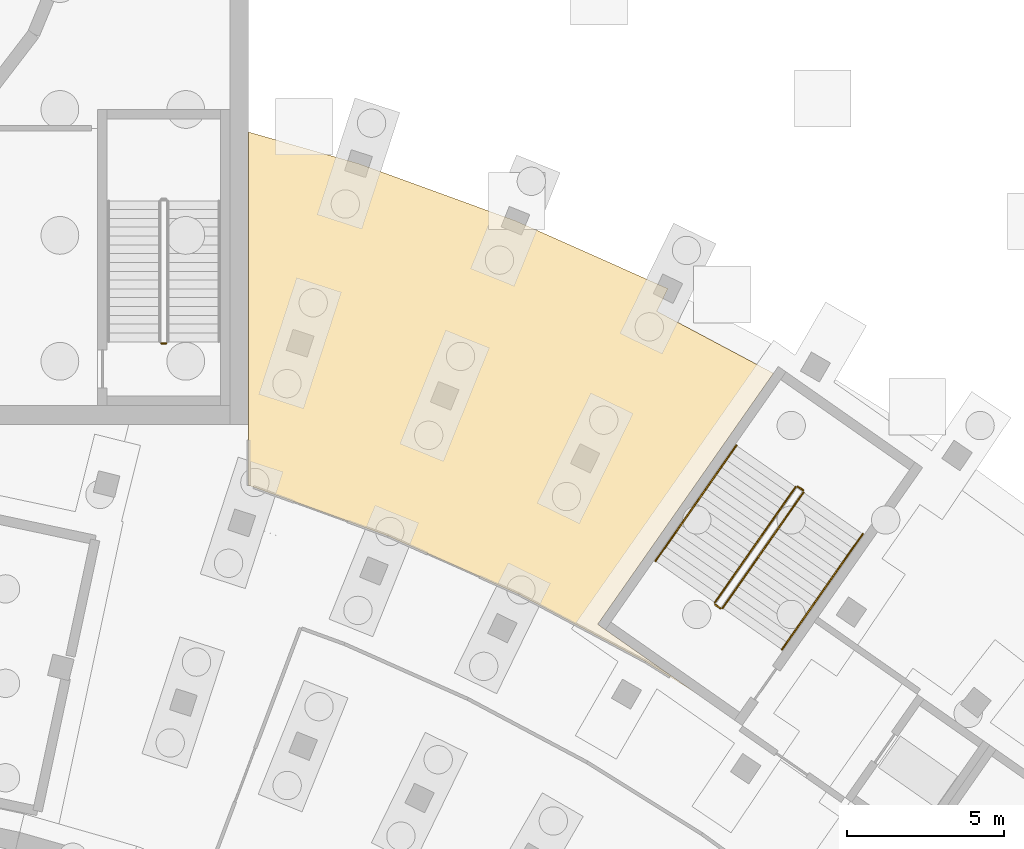
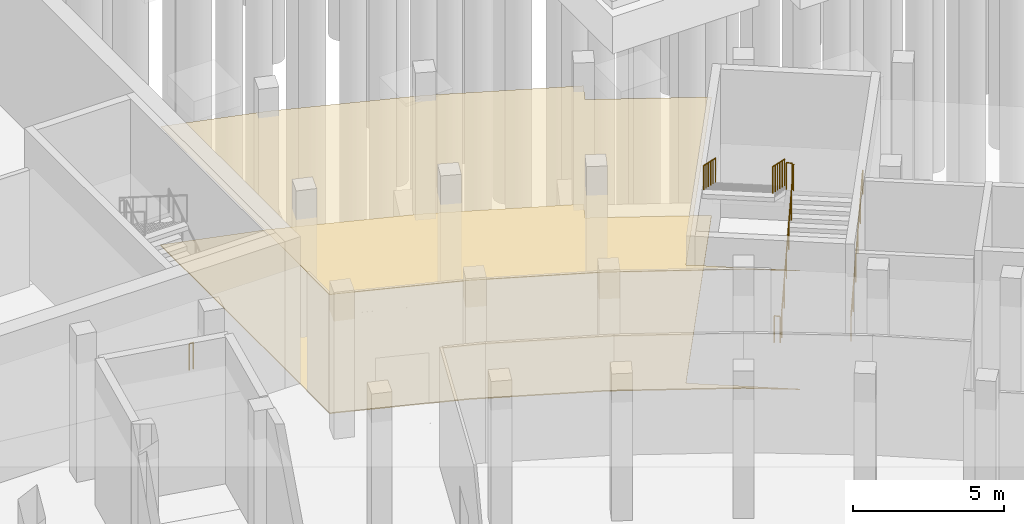
# One storey, part 43 of 66: 7 railings, 2 coverings.
"""IFC4 building model written with IfcOpenShell, lengths in metres."""

from ifc_helpers import new_model, si_unit, direction, frame, origin, origin_2d, place, context, subcontext, project, spatial, polyline, circle, outline, extrude, material, layer, layer_set, type_object, element, save


model = new_model("IFC4")

# Units and contexts
model_context = context("Model", 3, precision=1e-05, world=origin(), true_north=direction((0.0, 1.0)))
body_context = subcontext(model_context, "Body", "Model", "MODEL_VIEW")
ifc_project = project(units=[si_unit("LENGTHUNIT", "METRE"), si_unit("AREAUNIT", "SQUARE_METRE"), si_unit("VOLUMEUNIT", "CUBIC_METRE"), si_unit("PLANEANGLEUNIT", "RADIAN"), si_unit("MASSUNIT", "GRAM", prefix="KILO")], contexts=[model_context])

# Site, building, storey
site_placement = place(None, origin())
site = spatial("IfcSite", under=ifc_project, at=site_placement, CompositionType="ELEMENT")
building_placement = place(site_placement, origin())
building = spatial("IfcBuilding", under=site, at=building_placement, Name="Lunette Opera House", CompositionType="ELEMENT")
storey_placement = place(building_placement, frame((0.0, 0.0, -6.0)))
storey = spatial("IfcBuildingStorey", under=building, at=storey_placement, Name="B1", CompositionType="ELEMENT", Elevation=-6.0)

# Railings
ifc_material_1 = material(Name="Steel S355", Category="steel")
railing_type_1 = type_object("IfcRailingType", Name="STAIR GUARD 1100", PredefinedType="GUARDRAIL", material=ifc_material_1)
railing_1_placement = place(storey_placement, frame((131.051025390625, 58.16455078125, 0.176513671875)))
element("IfcRailing", 1, at=railing_1_placement, inside=storey, type_object=railing_type_1, Name="B1 ST3 stair guard 1", PredefinedType="GUARDRAIL", context=body_context, shape_type="SweptSolid", body=[
    extrude(circle(Radius=0.02392578125, at=origin_2d()), frame((0.0, 0.0, 1.076171875), z_axis=(0.485231303146, 0.693016337186, 0.533178149252), x_axis=(-0.819165350921, 0.573557432041, 0.0)), (0.0, 0.0, 1.0), 5.295654296875),
    extrude(circle(Radius=0.02099609375, at=origin_2d()), origin(), (0.0, 0.0, 1.0), 1.052001953125),
    extrude(circle(Radius=0.02099609375, at=origin_2d()), frame((0.513916015625, 0.73388671875, 0.564697265625)), (0.0, 0.0, 1.0), 1.052001953125),
    extrude(circle(Radius=0.02099609375, at=origin_2d()), frame((1.02783203125, 1.468017578125, 1.12939453125)), (0.0, 0.0, 1.0), 1.052001953125),
    extrude(circle(Radius=0.02099609375, at=origin_2d()), frame((1.541748046875, 2.201904296875, 1.694091796875)), (0.0, 0.0, 1.0), 1.052001953125),
    extrude(circle(Radius=0.02099609375, at=origin_2d()), frame((2.0556640625, 2.93603515625, 2.2587890625)), (0.0, 0.0, 1.0), 1.052001953125),
    extrude(circle(Radius=0.02099609375, at=origin_2d()), frame((2.569580078125, 3.669921875, 2.823486328125)), (0.0, 0.0, 1.0), 1.052001953125),
])
railing_2_placement = place(storey_placement, frame((133.6083984375, 61.904052734375, 3.0)))
element("IfcRailing", 2, at=railing_2_placement, inside=storey, type_object=railing_type_1, Name="B1 ST3 stair guard 2", PredefinedType="GUARDRAIL", context=body_context, shape_type="SweptSolid", body=[
    extrude(circle(Radius=0.02392578125, at=origin_2d()), frame((0.0, 0.0, 1.076171875), z_axis=(-0.819289108261, 0.573380638917, 0.0), x_axis=(-0.573380638917, -0.819289108261, 0.0)), (0.0, 0.0, 1.0), 0.200439453125),
    extrude(circle(Radius=0.02099609375, at=origin_2d()), origin(), (0.0, 0.0, 1.0), 1.052001953125),
    extrude(circle(Radius=0.02099609375, at=origin_2d()), frame((-0.164306640625, 0.114990234375, 0.0)), (0.0, 0.0, 1.0), 1.052001953125),
])
railing_3_placement = place(storey_placement, frame((133.37451171875, 62.0068359375, 3.176513671875)))
element("IfcRailing", 3, at=railing_3_placement, inside=storey, type_object=railing_type_1, Name="B1 ST3 stair guard 3", PredefinedType="GUARDRAIL", context=body_context, shape_type="SweptSolid", body=[
    extrude(circle(Radius=0.02392578125, at=origin_2d()), frame((0.0, 0.0, 1.076171875), z_axis=(-0.485231303146, -0.693016337186, 0.533178149252), x_axis=(0.819165350921, -0.573557432041, 0.0)), (0.0, 0.0, 1.0), 5.295654296875),
    extrude(circle(Radius=0.02099609375, at=origin_2d()), origin(), (0.0, 0.0, 1.0), 1.052001953125),
    extrude(circle(Radius=0.02099609375, at=origin_2d()), frame((-0.513916015625, -0.73388671875, 0.564697265625)), (0.0, 0.0, 1.0), 1.052001953125),
    extrude(circle(Radius=0.02099609375, at=origin_2d()), frame((-1.02783203125, -1.468017578125, 1.12939453125)), (0.0, 0.0, 1.0), 1.052001953125),
    extrude(circle(Radius=0.02099609375, at=origin_2d()), frame((-1.541748046875, -2.201904296875, 1.694091796875)), (0.0, 0.0, 1.0), 1.052001953125),
    extrude(circle(Radius=0.02099609375, at=origin_2d()), frame((-2.0556640625, -2.93603515625, 2.2587890625)), (0.0, 0.0, 1.0), 1.052001953125),
    extrude(circle(Radius=0.02099609375, at=origin_2d()), frame((-2.569580078125, -3.669921875, 2.823486328125)), (0.0, 0.0, 1.0), 1.052001953125),
])
railing_4_placement = place(storey_placement, frame((130.9814453125, 58.15234375, 0.0)))
element("IfcRailing", 4, at=railing_4_placement, inside=storey, type_object=railing_type_1, Name="B1 ST3 stair guard 4", PredefinedType="GUARDRAIL", context=body_context, shape_type="SweptSolid", body=[
    extrude(circle(Radius=0.02392578125, at=origin_2d()), frame((0.0, 0.0, 1.076171875), z_axis=(-0.819289108261, 0.573380638917, 0.0), x_axis=(-0.573380638917, -0.819289108261, 0.0)), (0.0, 0.0, 1.0), 0.200439453125),
    extrude(circle(Radius=0.02099609375, at=origin_2d()), origin(), (0.0, 0.0, 1.0), 1.052001953125),
    extrude(circle(Radius=0.02099609375, at=origin_2d()), frame((-0.164306640625, 0.114990234375, 0.0)), (0.0, 0.0, 1.0), 1.052001953125),
])
railing_5_placement = place(storey_placement, frame((113.3798828125, 66.570068359375, 0.0)))
element("IfcRailing", 5, at=railing_5_placement, inside=storey, type_object=railing_type_1, Name="B1 ST8 stair guard 4", PredefinedType="GUARDRAIL", context=body_context, shape_type="SweptSolid", body=[
    extrude(circle(Radius=0.02392578125, at=origin_2d()), frame((0.0, 0.0, 1.076171875), z_axis=(-1.0, 0.0, 0.0), x_axis=(0.0, -1.0, 0.0)), (0.0, 0.0, 1.0), 0.159912109375),
    extrude(circle(Radius=0.02099609375, at=origin_2d()), origin(), (0.0, 0.0, 1.0), 1.052001953125),
    extrude(circle(Radius=0.02099609375, at=origin_2d()), frame((-0.159912109375, 0.0, 0.0)), (0.0, 0.0, 1.0), 1.052001953125),
])
ifc_material_2 = material(Name="Steel S355", Category="steel")
railing_type_2 = type_object("IfcRailingType", Name="STAIR HANDRAIL 1000", PredefinedType="HANDRAIL", material=ifc_material_2)
railing_6_placement = place(storey_placement, frame((132.93505859375, 56.845458984375, 0.176513671875)))
element("IfcRailing", 6, at=railing_6_placement, inside=storey, type_object=railing_type_2, Name="B1 ST3 stair handrail 1", PredefinedType="HANDRAIL", context=body_context, shape_type="SweptSolid", body=[
    extrude(circle(Radius=0.02392578125, at=origin_2d()), frame((0.0, 0.0, 0.97607421875), z_axis=(0.485246806489, 0.692992375139, 0.533195184517), x_axis=(-0.819147422679, 0.573583036637, 0.0)), (0.0, 0.0, 1.0), 5.29541015625),
    extrude(circle(Radius=0.02099609375, at=origin_2d()), origin(), (0.0, 0.0, 1.0), 0.951904296875),
    extrude(circle(Radius=0.02099609375, at=origin_2d()), frame((0.513916015625, 0.73388671875, 0.564697265625)), (0.0, 0.0, 1.0), 0.951904296875),
    extrude(circle(Radius=0.02099609375, at=origin_2d()), frame((1.02783203125, 1.4677734375, 1.12939453125)), (0.0, 0.0, 1.0), 0.951904296875),
    extrude(circle(Radius=0.02099609375, at=origin_2d()), frame((1.541748046875, 2.201904296875, 1.694091796875)), (0.0, 0.0, 1.0), 0.951904296875),
    extrude(circle(Radius=0.02099609375, at=origin_2d()), frame((2.0556640625, 2.935791015625, 2.2587890625)), (0.0, 0.0, 1.0), 0.951904296875),
    extrude(circle(Radius=0.02099609375, at=origin_2d()), frame((2.569580078125, 3.669677734375, 2.823486328125)), (0.0, 0.0, 1.0), 0.951904296875),
])
railing_7_placement = place(storey_placement, frame((131.490478515625, 63.325927734375, 3.176513671875)))
element("IfcRailing", 7, at=railing_7_placement, inside=storey, type_object=railing_type_2, Name="B1 ST3 stair handrail 2", PredefinedType="HANDRAIL", context=body_context, shape_type="SweptSolid", body=[
    extrude(circle(Radius=0.02392578125, at=origin_2d()), frame((0.0, 0.0, 0.97607421875), z_axis=(-0.485246806489, -0.692992375139, 0.533195184517), x_axis=(0.819147422679, -0.573583036637, 0.0)), (0.0, 0.0, 1.0), 5.29541015625),
    extrude(circle(Radius=0.02099609375, at=origin_2d()), origin(), (0.0, 0.0, 1.0), 0.951904296875),
    extrude(circle(Radius=0.02099609375, at=origin_2d()), frame((-0.513916015625, -0.73388671875, 0.564697265625)), (0.0, 0.0, 1.0), 0.951904296875),
    extrude(circle(Radius=0.02099609375, at=origin_2d()), frame((-1.02783203125, -1.4677734375, 1.12939453125)), (0.0, 0.0, 1.0), 0.951904296875),
    extrude(circle(Radius=0.02099609375, at=origin_2d()), frame((-1.541748046875, -2.201904296875, 1.694091796875)), (0.0, 0.0, 1.0), 0.951904296875),
    extrude(circle(Radius=0.02099609375, at=origin_2d()), frame((-2.0556640625, -2.935791015625, 2.2587890625)), (0.0, 0.0, 1.0), 0.951904296875),
    extrude(circle(Radius=0.02099609375, at=origin_2d()), frame((-2.569580078125, -3.669677734375, 2.823486328125)), (0.0, 0.0, 1.0), 0.951904296875),
])

# Coverings
ifc_material_3 = material(Name="Mineral fibre board")
ifc_layer_1 = layer(ifc_material_3, 0.014892578125)
ifc_layer_set_1 = layer_set([ifc_layer_1], Name="Mineral fibre board")
covering_type_1 = type_object("IfcCoveringType", Name="SUSPENDED ACOUSTIC CEILING 15", PredefinedType="CEILING", material=ifc_layer_set_1)
covering_1_placement = place(storey_placement, frame((0.0, 0.0, 4.81494140625)))
element("IfcCovering", 8, at=covering_1_placement, inside=storey, type_object=covering_type_1, Name="Ceiling Cloakroom Lower", PredefinedType="CEILING", context=body_context, shape_type="SweptSolid", body=[
    extrude(outline(polyline([(124.469970703125, 70.466064453125), (129.31591796875, 68.30810546875), (128.966064453125, 67.589111328125), (132.6689453125, 65.6201171875), (127.0859375, 57.64501953125), (130.19189453125, 55.469970703125), (128.60009765625, 56.465087890625), (124.58203125, 58.60107421875), (120.424072265625, 60.451904296875), (116.14794921875, 62.009033203125), (116.0, 62.051025390625), (116.0, 64.0), (116.0, 73.280029296875), (119.485107421875, 72.280029296875), (124.469970703125, 70.466064453125)])), origin(), (0.0, 0.0, 1.0), 0.01513671875),
])
ifc_material_4 = material(Name="Timber", Category="wood")
ifc_layer_2 = layer(ifc_material_4, 0.0400390625)
ifc_layer_set_2 = layer_set([ifc_layer_2], Name="Timber")
covering_type_2 = type_object("IfcCoveringType", Name="TIMBER FLOOR FINISH 40", PredefinedType="FLOORING", material=ifc_layer_set_2)
covering_2_placement = place(storey_placement, origin())
element("IfcCovering", 9, at=covering_2_placement, inside=storey, type_object=covering_type_2, Name="Floor finish Cloakroom Lower", PredefinedType="FLOORING", context=body_context, shape_type="SweptSolid", body=[
    extrude(outline(polyline([(124.469970703125, 70.466064453125), (129.31591796875, 68.30810546875), (128.966064453125, 67.589111328125), (132.6689453125, 65.6201171875), (127.0859375, 57.64501953125), (130.19189453125, 55.469970703125), (128.60009765625, 56.465087890625), (124.58203125, 58.60107421875), (120.424072265625, 60.451904296875), (116.14794921875, 62.009033203125), (116.0, 62.051025390625), (116.0, 64.0), (116.0, 73.280029296875), (119.485107421875, 72.280029296875), (124.469970703125, 70.466064453125)])), origin(), (0.0, 0.0, 1.0), 0.0400390625),
])

save(model, "model.ifc")
